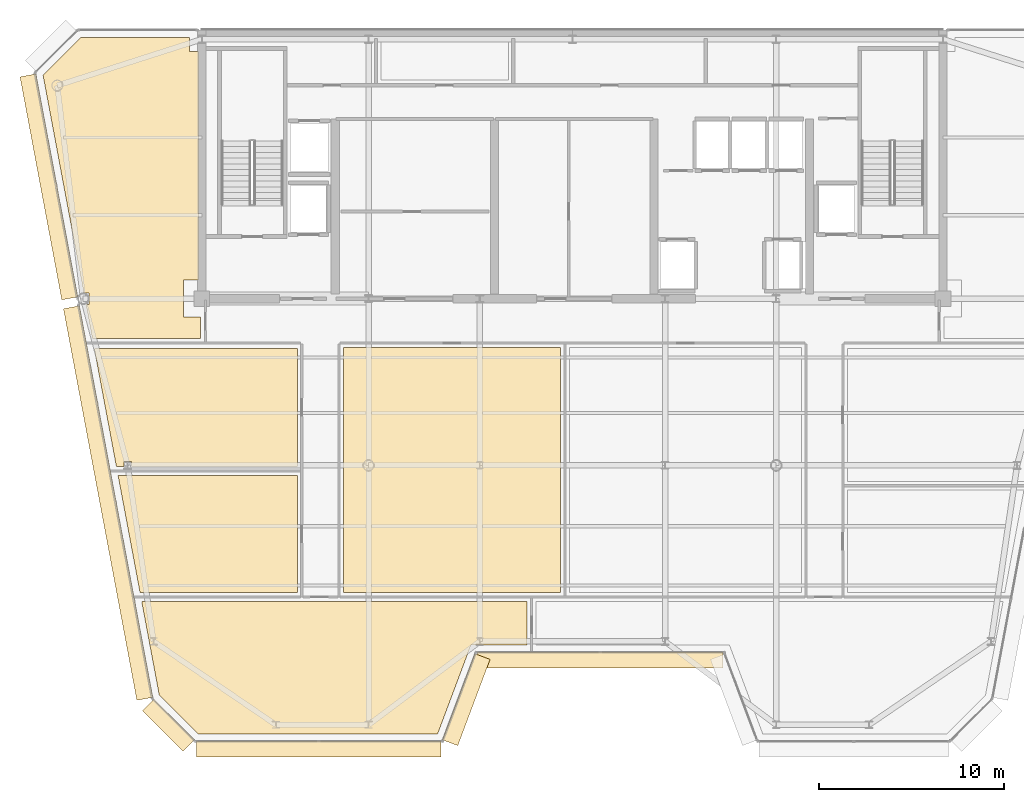
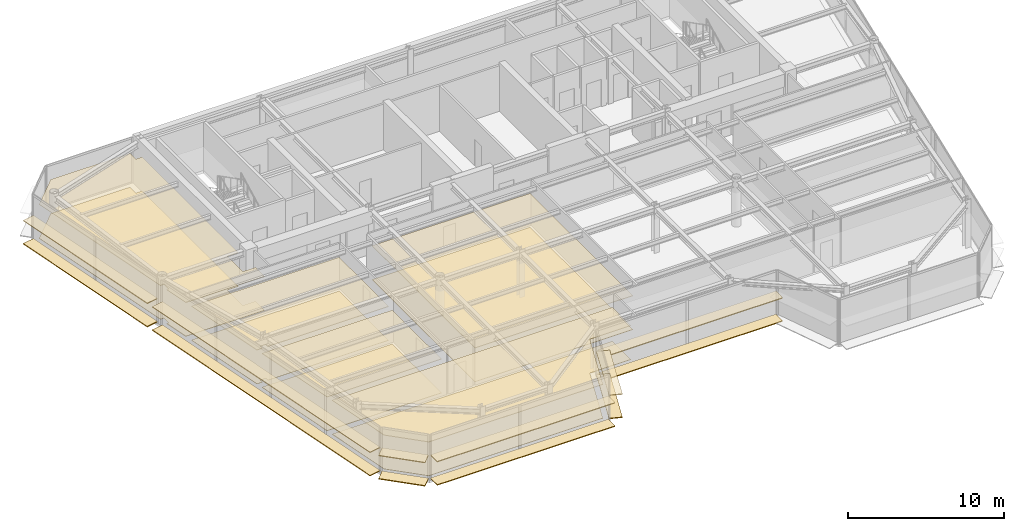
# One storey, part 14 of 20: 22 coverings.
"""IFC4 building model written with IfcOpenShell, lengths in metres."""

from ifc_helpers import new_model, si_unit, direction, frame, origin, origin_2d, place, context, subcontext, project, spatial, polyline, rectangle, outline, extrude, source, transform, mapped, material, layer, layer_set, type_object, element, save


model = new_model("IFC4")

# Units and contexts
model_context = context("Model", 3, precision=1e-05, world=origin(), true_north=direction((0.0, 1.0)))
body_context = subcontext(model_context, "Body", "Model", "MODEL_VIEW")
ifc_project = project(units=[si_unit("LENGTHUNIT", "METRE"), si_unit("AREAUNIT", "SQUARE_METRE"), si_unit("VOLUMEUNIT", "CUBIC_METRE"), si_unit("PLANEANGLEUNIT", "RADIAN"), si_unit("MASSUNIT", "GRAM", prefix="KILO")], contexts=[model_context])

# Site, building, storey
site_placement = place(None, origin())
site = spatial("IfcSite", under=ifc_project, at=site_placement, CompositionType="ELEMENT")
building_placement = place(site_placement, origin())
building = spatial("IfcBuilding", under=site, at=building_placement, Name="Vaeldorn Concourse Tower", CompositionType="ELEMENT")
storey_placement = place(building_placement, frame((0.0, 0.0, 284.0)))
storey = spatial("IfcBuildingStorey", under=building, at=storey_placement, Name="L73", CompositionType="ELEMENT", Elevation=284.0)

# Coverings
ifc_material_1 = material(Name="Acoustic Mineral Fibre Board", Category="gypsum")
ifc_layer_1 = layer(ifc_material_1, 0.0400390625)
ifc_layer_set_1 = layer_set([ifc_layer_1], Name="Acoustic Mineral Fibre Board")
covering_type_1 = type_object("IfcCoveringType", Name="COV-CEIL-ACOUSTIC", PredefinedType="CEILING", material=ifc_layer_set_1)
covering_1_placement = place(storey_placement, frame((0.0, 0.0, 2.64990234375)))
element("IfcCovering", 1, at=covering_1_placement, inside=storey, type_object=covering_type_1, Name="Suspended Acoustic Ceiling L73-3", PredefinedType="CEILING", context=body_context, shape_type="SweptSolid", body=[
    extrude(outline(polyline([(7.4658203125, 50.60009765625), (13.340087890625, 50.60009765625), (13.340087890625, 49.840087890625), (13.820068359375, 49.840087890625), (13.820068359375, 37.5), (13.0, 37.5), (13.0, 35.5), (13.93994140625, 35.5), (13.93994140625, 34.340087890625), (8.098876953125, 34.340087890625), (7.751220703125, 36.195068359375), (7.905029296875, 36.195068359375), (7.905029296875, 36.804931640625), (7.63671875, 36.804931640625), (5.431884765625, 48.56640625), (7.4658203125, 50.60009765625)])), origin(), (0.0, 0.0, 1.0), 0.0400390625),
])
covering_2_placement = place(storey_placement, frame((0.0, 0.0, 2.64990234375)))
element("IfcCovering", 2, at=covering_2_placement, inside=storey, type_object=covering_type_1, Name="Suspended Acoustic Ceiling L73-5", PredefinedType="CEILING", context=body_context, shape_type="SweptSolid", body=[
    extrude(outline(polyline([(19.159912109375, 26.9599609375), (19.159912109375, 20.639892578125), (10.6669921875, 20.639892578125), (9.482421875, 26.9599609375), (19.159912109375, 26.9599609375)])), origin(), (0.0, 0.0, 1.0), 0.0400390625),
])
covering_3_placement = place(storey_placement, frame((0.0, 0.0, 2.64990234375)))
element("IfcCovering", 3, at=covering_3_placement, inside=storey, type_object=covering_type_1, Name="Suspended Acoustic Ceiling L73-6", PredefinedType="CEILING", context=body_context, shape_type="SweptSolid", body=[
    extrude(outline(polyline([(19.159912109375, 33.800048828125), (19.159912109375, 27.43994140625), (10.200439453125, 27.43994140625), (10.200439453125, 27.699462890625), (9.799560546875, 27.699462890625), (9.799560546875, 27.43994140625), (9.392333984375, 27.43994140625), (8.2001953125, 33.800048828125), (19.159912109375, 33.800048828125)])), origin(), (0.0, 0.0, 1.0), 0.0400390625),
])
covering_4_placement = place(storey_placement, frame((0.0, 0.0, 2.64990234375)))
element("IfcCovering", 4, at=covering_4_placement, inside=storey, type_object=covering_type_1, Name="Suspended Acoustic Ceiling L73-9", PredefinedType="CEILING", context=body_context, shape_type="SweptSolid", body=[
    extrude(outline(polyline([(21.639892578125, 33.860107421875), (33.360107421875, 33.860107421875), (33.360107421875, 20.639892578125), (21.639892578125, 20.639892578125), (21.639892578125, 33.860107421875)])), origin(), (0.0, 0.0, 1.0), 0.0400390625),
])
covering_5_placement = place(storey_placement, frame((0.0, 0.0, 2.64990234375)))
element("IfcCovering", 5, at=covering_5_placement, inside=storey, type_object=covering_type_1, Name="Suspended Acoustic Ceiling L73-11", PredefinedType="CEILING", context=body_context, shape_type="SweptSolid", body=[
    extrude(outline(polyline([(31.56005859375, 20.159912109375), (31.56005859375, 17.800048828125), (28.522705078125, 17.800048828125), (26.722900390625, 13.0), (13.8017578125, 13.0), (11.706298828125, 15.09521484375), (11.687255859375, 15.197509765625), (10.757080078125, 20.159912109375), (31.56005859375, 20.159912109375)])), origin(), (0.0, 0.0, 1.0), 0.0400390625),
])
ifc_material_2 = material(Name="Honed Limestone Terrazzo Flooring", Category="masonry")
ifc_layer_2 = layer(ifc_material_2, 0.0400390625)
ifc_layer_set_2 = layer_set([ifc_layer_2], Name="Honed Limestone Terrazzo Flooring")
covering_type_2 = type_object("IfcCoveringType", Name="COV-FLOOR-STONE", PredefinedType="FLOORING", material=ifc_layer_set_2)
covering_6_placement = place(storey_placement, origin())
element("IfcCovering", 6, at=covering_6_placement, inside=storey, type_object=covering_type_2, Name="Floor Finish Covering L73-3", PredefinedType="FLOORING", context=body_context, shape_type="SweptSolid", body=[
    extrude(outline(polyline([(7.4658203125, 50.60009765625), (13.340087890625, 50.60009765625), (13.340087890625, 49.840087890625), (13.820068359375, 49.840087890625), (13.820068359375, 37.5), (13.0, 37.5), (13.0, 35.5), (13.93994140625, 35.5), (13.93994140625, 34.340087890625), (8.098876953125, 34.340087890625), (7.751220703125, 36.195068359375), (7.905029296875, 36.195068359375), (7.905029296875, 36.804931640625), (7.63671875, 36.804931640625), (5.431884765625, 48.56640625), (7.4658203125, 50.60009765625)])), origin(), (0.0, 0.0, 1.0), 0.030029296875),
])
covering_7_placement = place(storey_placement, origin())
element("IfcCovering", 7, at=covering_7_placement, inside=storey, type_object=covering_type_2, Name="Floor Finish Covering L73-5", PredefinedType="FLOORING", context=body_context, shape_type="SweptSolid", body=[
    extrude(outline(polyline([(19.159912109375, 26.9599609375), (19.159912109375, 20.639892578125), (10.6669921875, 20.639892578125), (9.482421875, 26.9599609375), (19.159912109375, 26.9599609375)])), origin(), (0.0, 0.0, 1.0), 0.030029296875),
])
covering_8_placement = place(storey_placement, origin())
element("IfcCovering", 8, at=covering_8_placement, inside=storey, type_object=covering_type_2, Name="Floor Finish Covering L73-6", PredefinedType="FLOORING", context=body_context, shape_type="SweptSolid", body=[
    extrude(outline(polyline([(19.159912109375, 33.800048828125), (19.159912109375, 27.43994140625), (10.200439453125, 27.43994140625), (10.200439453125, 27.699462890625), (9.799560546875, 27.699462890625), (9.799560546875, 27.43994140625), (9.392333984375, 27.43994140625), (8.2001953125, 33.800048828125), (19.159912109375, 33.800048828125)])), origin(), (0.0, 0.0, 1.0), 0.030029296875),
])
covering_9_placement = place(storey_placement, origin())
element("IfcCovering", 9, at=covering_9_placement, inside=storey, type_object=covering_type_2, Name="Floor Finish Covering L73-9", PredefinedType="FLOORING", context=body_context, shape_type="SweptSolid", body=[
    extrude(outline(polyline([(21.639892578125, 33.860107421875), (33.360107421875, 33.860107421875), (33.360107421875, 20.639892578125), (21.639892578125, 20.639892578125), (21.639892578125, 33.860107421875)])), origin(), (0.0, 0.0, 1.0), 0.030029296875),
])
covering_10_placement = place(storey_placement, origin())
element("IfcCovering", 10, at=covering_10_placement, inside=storey, type_object=covering_type_2, Name="Floor Finish Covering L73-11", PredefinedType="FLOORING", context=body_context, shape_type="SweptSolid", body=[
    extrude(outline(polyline([(31.56005859375, 20.159912109375), (31.56005859375, 17.800048828125), (28.522705078125, 17.800048828125), (26.722900390625, 13.0), (13.8017578125, 13.0), (11.706298828125, 15.09521484375), (11.687255859375, 15.197509765625), (10.757080078125, 20.159912109375), (31.56005859375, 20.159912109375)])), origin(), (0.0, 0.0, 1.0), 0.030029296875),
])
ifc_material_3 = material(Name="Anodised Bronze Aluminium", Category="aluminium")
ifc_layer_3 = layer(ifc_material_3, 0.06494140625)
ifc_layer_set_3 = layer_set([ifc_layer_3], Name="Anodised Bronze Aluminium")
covering_type_3 = type_object("IfcCoveringType", Name="SD-BRONZE-SUNSHADE", PredefinedType="USERDEFINED", material=ifc_layer_set_3)
shared_shape_1 = source(origin(), body_context, "Body", "SweptSolid", [
    extrude(rectangle(XDim=4.96630859375, YDim=0.8798828125, at=origin_2d()), origin(), (0.0, 0.0, 1.0), 0.06494140625),
])
for number, where, z_axis, x_axis, name in (
    (11, (28.2744140625, 14.859619140625, 0.047607421875), (0.0, 0.0, 1.0), (0.351122702609, 0.936329454686, 0.0), "Horizontal Bronze Sunshade L73-E02.1.1"),
    (12, (28.2744140625, 14.859619140625, 1.867431640625), (0.0, 0.0, 1.0), (0.351122702609, 0.936329454686, 0.0), "Horizontal Bronze Sunshade L73-E02.1.2"),
):
    element("IfcCovering", number, at=place(storey_placement, frame(where, z_axis=z_axis, x_axis=x_axis)), inside=storey, type_object=covering_type_3, Name=name, ObjectType="SUNSHADE", PredefinedType="USERDEFINED", context=body_context, shape_type="MappedRepresentation", body=[
        mapped(shared_shape_1, transform((0.0, 0.0, 0.0), scale=1.0)),
    ])
shared_shape_2 = source(origin(), body_context, "Body", "SweptSolid", [
    extrude(rectangle(XDim=13.239990234375, YDim=0.8798828125, at=origin_2d()), origin(), (0.0, 0.0, 1.0), 0.06494140625),
])
for number, where, z_axis, x_axis, name in (
    (13, (35.5, 17.0, 0.047607421875), (0.0, 0.0, 1.0), (1.0, 0.0, 0.0), "Horizontal Bronze Sunshade L73-E03.1.1"),
    (14, (35.5, 17.0, 1.867431640625), (0.0, 0.0, 1.0), (1.0, 0.0, 0.0), "Horizontal Bronze Sunshade L73-E03.1.2"),
):
    element("IfcCovering", number, at=place(storey_placement, frame(where, z_axis=z_axis, x_axis=x_axis)), inside=storey, type_object=covering_type_3, Name=name, ObjectType="SUNSHADE", PredefinedType="USERDEFINED", context=body_context, shape_type="MappedRepresentation", body=[
        mapped(shared_shape_2, transform((0.0, 0.0, 0.0), scale=1.0)),
    ])
shared_shape_3 = source(origin(), body_context, "Body", "SweptSolid", [
    extrude(rectangle(XDim=3.0927734375, YDim=0.8798828125, at=origin_2d()), origin(), (0.0, 0.0, 1.0), 0.06494140625),
])
for number, where, z_axis, x_axis, name in (
    (15, (12.203125, 13.46728515625, 0.047607421875), (0.0, 0.0, 1.0), (0.707106781187, -0.707106781187, 0.0), "Horizontal Bronze Sunshade L73-E12.1.1"),
    (16, (12.203125, 13.46728515625, 1.867431640625), (0.0, 0.0, 1.0), (0.707106781187, -0.707106781187, 0.0), "Horizontal Bronze Sunshade L73-E12.1.2"),
):
    element("IfcCovering", number, at=place(storey_placement, frame(where, z_axis=z_axis, x_axis=x_axis)), inside=storey, type_object=covering_type_3, Name=name, ObjectType="SUNSHADE", PredefinedType="USERDEFINED", context=body_context, shape_type="MappedRepresentation", body=[
        mapped(shared_shape_3, transform((0.0, 0.0, 0.0), scale=1.0)),
    ])
shared_shape_4 = source(origin(), body_context, "Body", "SweptSolid", [
    extrude(rectangle(XDim=21.49560546875, YDim=0.8798828125, at=origin_2d()), origin(), (0.0, 0.0, 1.0), 0.06494140625),
])
for number, where, z_axis, x_axis, name in (
    (17, (8.94775390625, 25.46875, 0.047607421875), (0.0, 0.0, 1.0), (0.1842429853, -0.98288072642, 0.0), "Horizontal Bronze Sunshade L73-E11.2.1"),
    (18, (8.94775390625, 25.46875, 1.867431640625), (0.0, 0.0, 1.0), (0.1842429853, -0.98288072642, 0.0), "Horizontal Bronze Sunshade L73-E11.2.2"),
):
    element("IfcCovering", number, at=place(storey_placement, frame(where, z_axis=z_axis, x_axis=x_axis)), inside=storey, type_object=covering_type_3, Name=name, ObjectType="SUNSHADE", PredefinedType="USERDEFINED", context=body_context, shape_type="MappedRepresentation", body=[
        mapped(shared_shape_4, transform((0.0, 0.0, 0.0), scale=1.0)),
    ])
shared_shape_5 = source(origin(), body_context, "Body", "SweptSolid", [
    extrude(rectangle(XDim=12.241943359375, YDim=0.8798828125, at=origin_2d()), origin(), (0.0, 0.0, 1.0), 0.06494140625),
])
for number, where, z_axis, x_axis, name in (
    (19, (5.749267578125, 42.531494140625, 0.047607421875), (0.0, 0.0, 1.0), (0.1842429853, -0.98288072642, 0.0), "Horizontal Bronze Sunshade L73-E11.1.1"),
    (20, (5.749267578125, 42.531494140625, 1.867431640625), (0.0, 0.0, 1.0), (0.1842429853, -0.98288072642, 0.0), "Horizontal Bronze Sunshade L73-E11.1.2"),
):
    element("IfcCovering", number, at=place(storey_placement, frame(where, z_axis=z_axis, x_axis=x_axis)), inside=storey, type_object=covering_type_3, Name=name, ObjectType="SUNSHADE", PredefinedType="USERDEFINED", context=body_context, shape_type="MappedRepresentation", body=[
        mapped(shared_shape_5, transform((0.0, 0.0, 0.0), scale=1.0)),
    ])
shared_shape_6 = source(origin(), body_context, "Body", "SweptSolid", [
    extrude(rectangle(XDim=13.2041015625, YDim=0.8798828125, at=origin_2d()), origin(), (0.0, 0.0, 1.0), 0.06494140625),
])
for number, where, z_axis, x_axis, name in (
    (21, (20.318115234375, 12.199951171875, 0.047607421875), (0.0, 0.0, 1.0), (1.0, 0.0, 0.0), "Horizontal Bronze Sunshade L73-E01.1.1"),
    (22, (20.318115234375, 12.199951171875, 1.867431640625), (0.0, 0.0, 1.0), (1.0, 0.0, 0.0), "Horizontal Bronze Sunshade L73-E01.1.2"),
):
    element("IfcCovering", number, at=place(storey_placement, frame(where, z_axis=z_axis, x_axis=x_axis)), inside=storey, type_object=covering_type_3, Name=name, ObjectType="SUNSHADE", PredefinedType="USERDEFINED", context=body_context, shape_type="MappedRepresentation", body=[
        mapped(shared_shape_6, transform((0.0, 0.0, 0.0), scale=1.0)),
    ])

save(model, "model.ifc")
